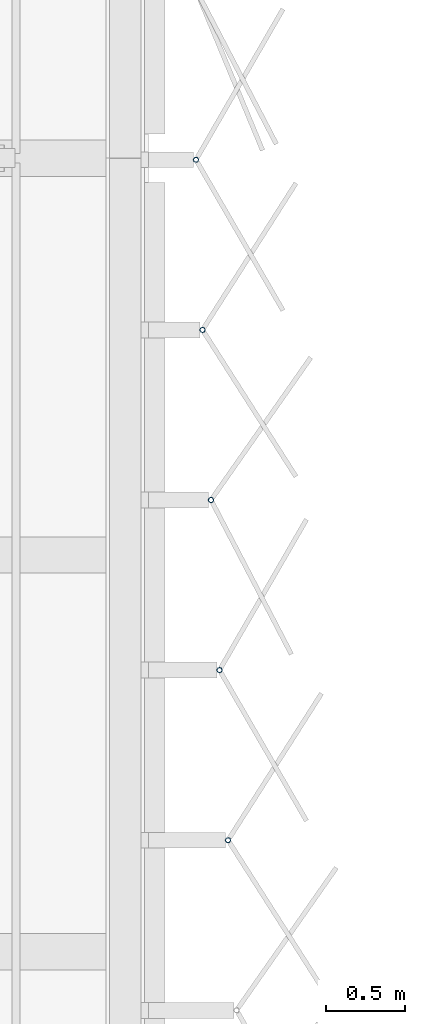
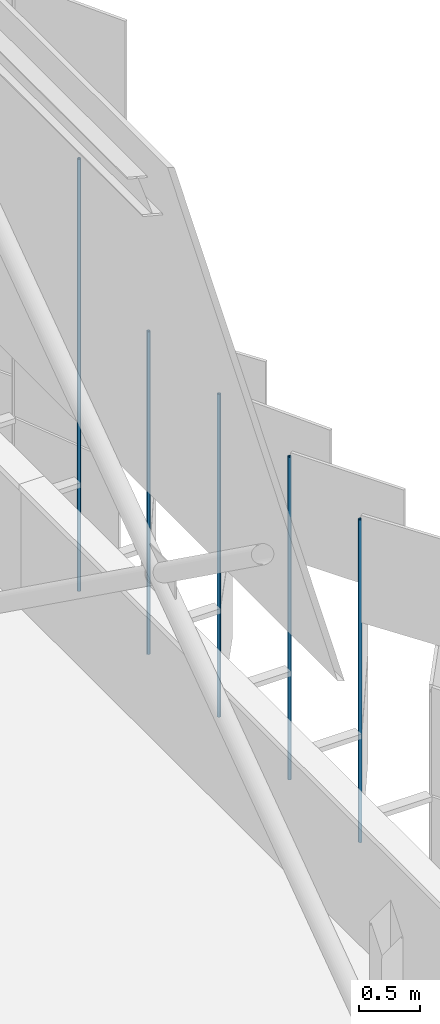
# One storey, part 179 of 483: 5 discrete accessories.
"""IFC4 building model written with IfcOpenShell, lengths in metres."""

from ifc_helpers import new_model, si_unit, direction, frame, origin, origin_2d, place, context, subcontext, project, spatial, hollow_circle, extrude, material, material_profile, profile_set, type_object, element, save


model = new_model("IFC4")

# Units and contexts
model_context = context("Model", 3, precision=1e-05, world=origin(), true_north=direction((0.0, 1.0)))
body_context = subcontext(model_context, "Body", "Model", "MODEL_VIEW")
ifc_project = project(units=[si_unit("LENGTHUNIT", "METRE"), si_unit("AREAUNIT", "SQUARE_METRE"), si_unit("VOLUMEUNIT", "CUBIC_METRE"), si_unit("PLANEANGLEUNIT", "RADIAN"), si_unit("MASSUNIT", "GRAM", prefix="KILO")], contexts=[model_context])

# Site, building, storey
site_placement = place(None, origin())
site = spatial("IfcSite", under=ifc_project, at=site_placement, CompositionType="ELEMENT")
building_placement = place(site_placement, origin())
building = spatial("IfcBuilding", under=site, at=building_placement, Name="Parallax Yard Mobility Hub", CompositionType="ELEMENT")
storey_placement = place(building_placement, frame((0.0, 0.0, 13.199951171875)))
storey = spatial("IfcBuildingStorey", under=building, at=storey_placement, Name="L04", CompositionType="ELEMENT", Elevation=13.199951171875)

# Discrete accessories
ifc_material = material(Name="Steel ASTM A500 Gr C, hot-dip galvanised", Category="steel")
ifc_material_profile = material_profile(ifc_material, hollow_circle(Radius=0.016845703125, WallThickness=0.003173828125, at=origin_2d()), Name="CHS 33.7x3.2")
ifc_profile_set = profile_set([ifc_material_profile], Name="Steel ASTM A500 Gr C, hot-dip galvanised")
discrete_accessory_type = type_object("IfcDiscreteAccessoryType", Name="Hinge post CHS 33.7x3.2", PredefinedType="BRACKET", material=ifc_profile_set)
for number, where, z_axis, x_axis, name in (
    (1, (225.501708984375, 40.702880859375, 0.0), (0.0, 0.0, 1.0), (1.0, 0.0, 0.0), "Hinge post bay 34.4 level L04"),
    (2, (225.4482421875, 41.774658203125, 0.0), (0.0, 0.0, 1.0), (1.0, 0.0, 0.0), "Hinge post bay 34.5 level L04"),
    (3, (225.39453125, 42.84619140625, 0.0), (0.0, 0.0, 1.0), (1.0, 0.0, 0.0), "Hinge post bay 34.6 level L04"),
    (4, (225.341064453125, 43.91796875, 0.0), (0.0, 0.0, 1.0), (1.0, 0.0, 0.0), "Hinge post bay 34.7 level L04"),
):
    element("IfcDiscreteAccessory", number, at=place(storey_placement, frame(where, z_axis=z_axis, x_axis=x_axis)), inside=storey, type_object=discrete_accessory_type, Name=name, PredefinedType="BRACKET", context=body_context, shape_type="SweptSolid", body=[
        extrude(hollow_circle(Radius=0.016845703125, WallThickness=0.003173828125, at=origin_2d()), origin(), (0.0, 0.0, 1.0), 3.25),
    ])
discrete_accessory_placement = place(storey_placement, frame((225.300048828125, 44.98974609375, 0.0), z_axis=(0.0, 0.0, 1.0), x_axis=(1.0, 0.0, 0.0)))
element("IfcDiscreteAccessory", 5, at=discrete_accessory_placement, inside=storey, type_object=discrete_accessory_type, Name="Hinge post bay 35.1 level L04", PredefinedType="BRACKET", context=body_context, shape_type="SweptSolid", body=[
    extrude(hollow_circle(Radius=0.016845703125, WallThickness=0.003173828125, at=origin_2d()), origin(), (0.0, 0.0, 1.0), 4.35009765625),
])

save(model, "model.ifc")
